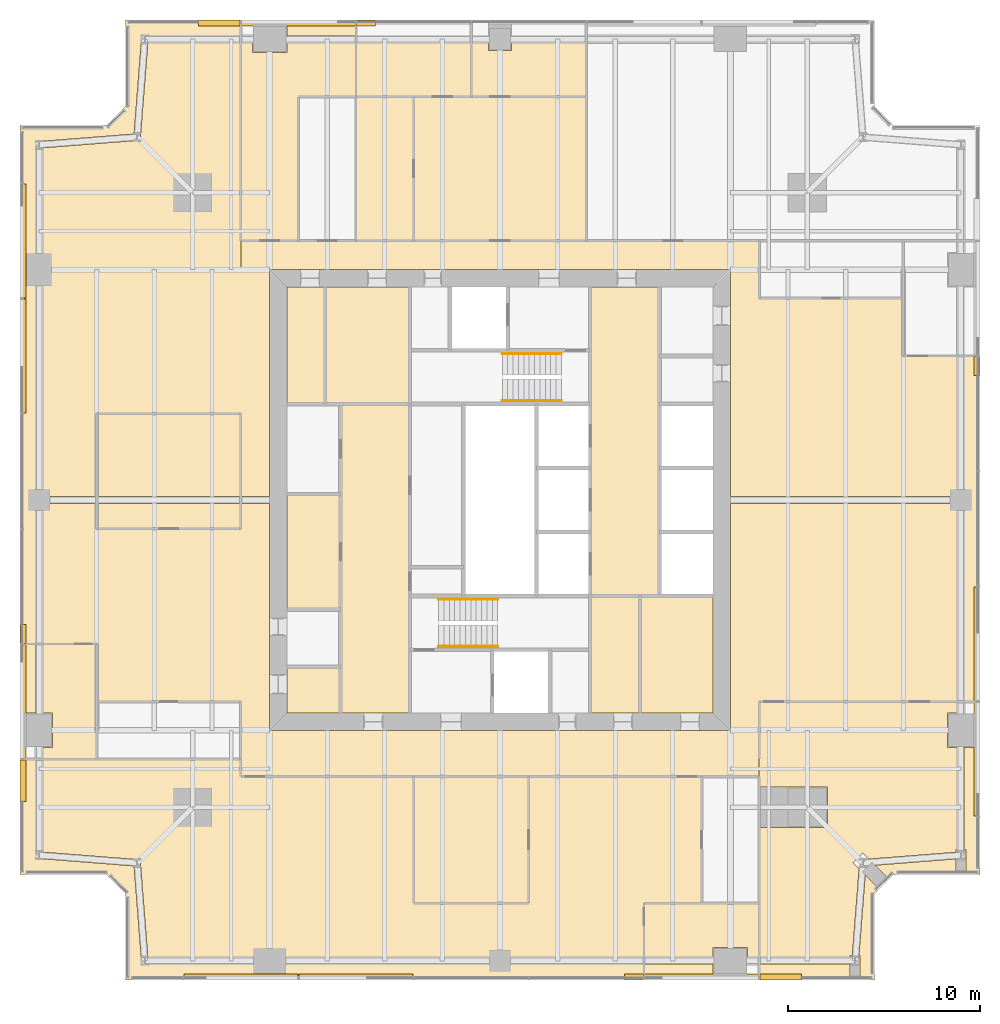
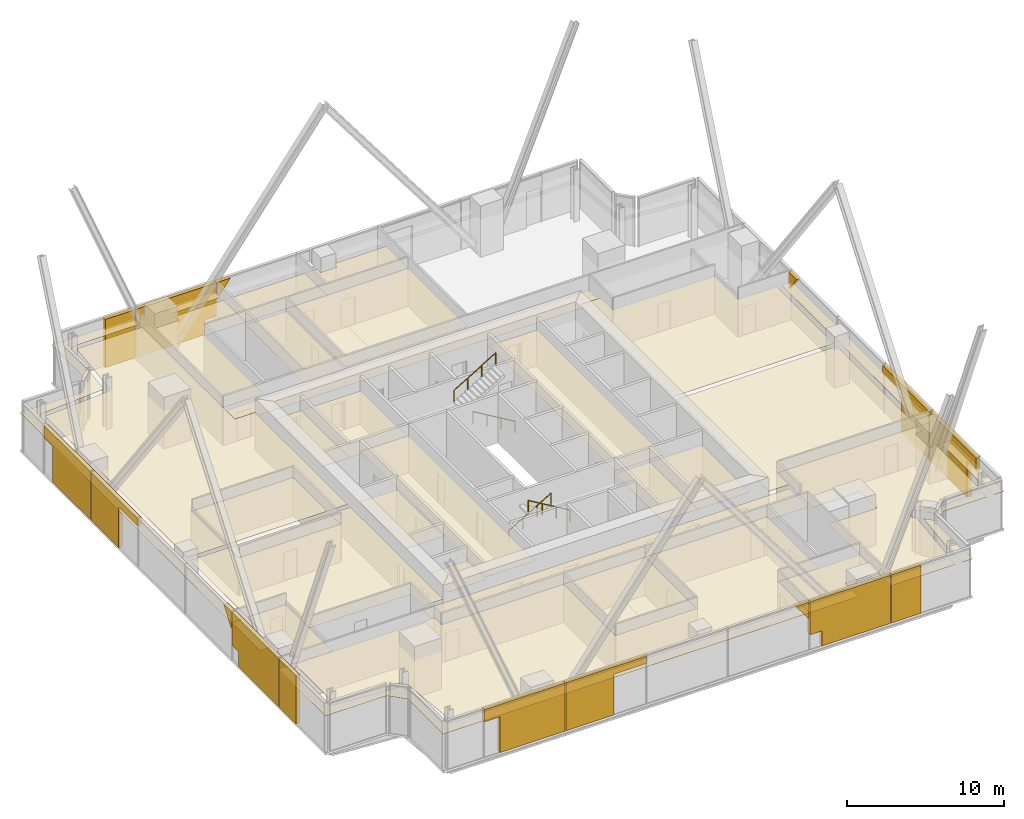
# One storey, part 12 of 13: 52 coverings, 4 railings.
"""IFC4 building model written with IfcOpenShell, lengths in metres."""

import ifcopenshell
import ifcopenshell.guid

model = None  # the IFC model being written
_history = None  # IfcOwnerHistory: only IFC2X3 demands one
_inside = {}  # id of a spatial element -> (the spatial element, [elements in it])
_under = {}  # id of a project, library or spatial element -> (it, [spatial elements below it])
_declared = {}  # id of a project -> (the project, [libraries it declares])
_typed = {}  # id of a type object -> (the type object, [elements of that type])
_made_of = {}  # id of a material, layer set ... -> (it, [elements and type objects made of it])


def new_model(schema):
    """Start an empty IFC model of exactly this schema.

    Asked for "IFC4X3", IfcOpenShell would pick the latest addendum, in which some entities
    have other attributes; the version numbers below select the first issue.
    IFC2X3 requires an IfcOwnerHistory on every rooted entity: one is made here for all.
    """
    global model, _history
    if schema == "IFC4X3":
        model = ifcopenshell.file(schema_version=(4, 3, 0, 0))
    else:
        model = ifcopenshell.file(schema=schema)
    _inside.clear()
    _under.clear()
    _declared.clear()
    _typed.clear()
    _made_of.clear()
    _history = None
    if model.schema == "IFC2X3":
        org = make("IfcOrganization", Name="unknown")
        user = make(
            "IfcPersonAndOrganization",
            ThePerson=make("IfcPerson", FamilyName="unknown"),
            TheOrganization=org,
        )
        app = make(
            "IfcApplication",
            ApplicationDeveloper=org,
            Version="unknown",
            ApplicationFullName="unknown",
            ApplicationIdentifier="unknown",
        )
        _history = make(
            "IfcOwnerHistory",
            OwningUser=user,
            OwningApplication=app,
            ChangeAction="ADDED",
            CreationDate=0,
        )
    return model


def make(cls, **values):
    """One entity of the class cls with the attributes given. An attribute that is None is left unset."""
    return model.create_entity(
        cls, **{name: value for name, value in values.items() if value is not None}
    )


def rooted(cls, **values):
    """An entity with a GlobalId (a new one), such as an element, a storey or a relation."""
    return make(cls, GlobalId=ifcopenshell.guid.new(), OwnerHistory=_history, **values)


def si_unit(unit_type, name, prefix=None):
    """IfcSIUnit, for example si_unit("LENGTHUNIT", "METRE", prefix="MILLI")."""
    return make("IfcSIUnit", UnitType=unit_type, Prefix=prefix, Name=name)


def assignment(units):
    """IfcUnitAssignment: the units of a project."""
    return None if units is None else make("IfcUnitAssignment", Units=units)


def point(xyz):
    """IfcCartesianPoint."""
    return None if xyz is None else make("IfcCartesianPoint", Coordinates=xyz)


def direction(xyz):
    """IfcDirection."""
    return None if xyz is None else make("IfcDirection", DirectionRatios=xyz)


def frame(location, z_axis=None, x_axis=None):
    """IfcAxis2Placement3D, a coordinate frame: its origin and axes. An axis left out is left unset."""
    return make(
        "IfcAxis2Placement3D",
        Location=point(location),
        Axis=direction(z_axis),
        RefDirection=direction(x_axis),
    )


def frame_2d(location, x_axis=None):
    """IfcAxis2Placement2D, a coordinate frame in the plane: its origin and x axis."""
    return make(
        "IfcAxis2Placement2D", Location=point(location), RefDirection=direction(x_axis)
    )


def origin():
    """The frame at (0, 0, 0) with its axes left unset."""
    return frame((0.0, 0.0, 0.0))


def origin_2d():
    """The frame at (0, 0) in the plane with its x axis left unset."""
    return frame_2d((0.0, 0.0))


def place(relative_to, where):
    """IfcLocalPlacement: puts the frame where relative to a parent placement (None: the world)."""
    return make(
        "IfcLocalPlacement", PlacementRelTo=relative_to, RelativePlacement=where
    )


def context(
    kind, dimensions, precision=None, world=None, true_north=None, identifier=None
):
    """IfcGeometricRepresentationContext, for example the 3D "Model" context."""
    return make(
        "IfcGeometricRepresentationContext",
        ContextIdentifier=identifier,
        ContextType=kind,
        CoordinateSpaceDimension=dimensions,
        Precision=precision,
        WorldCoordinateSystem=world,
        TrueNorth=true_north,
    )


def subcontext(parent, identifier, kind, view, scale=None):
    """IfcGeometricRepresentationSubContext, for example "Body" below "Model"."""
    return make(
        "IfcGeometricRepresentationSubContext",
        ContextIdentifier=identifier,
        ContextType=kind,
        ParentContext=parent,
        TargetScale=scale,
        TargetView=view,
    )


def project(units=None, contexts=None):
    """IfcProject with its units and contexts."""
    return rooted(
        "IfcProject",
        Name="project",
        RepresentationContexts=contexts,
        UnitsInContext=assignment(units),
    )


def spatial(cls, under=None, at=None, **own):
    """A site, building, storey or space (cls), placed at a placement, below another one or the project."""
    s = rooted(cls, ObjectPlacement=at, **own)
    if under is not None:
        _under.setdefault(under.id(), (under, []))[1].append(s)
    return s


def polyline(points):
    """IfcPolyline through the points."""
    return make("IfcPolyline", Points=[point(p) for p in points])


def profile(cls, at=None, kind="AREA", **sizes):
    """A parametric profile (cls). Its sizes go by their IFC names, for example OverallWidth=200.0."""
    return make(cls, ProfileType=kind, Position=at, **sizes)


def circle(**sizes):
    """IfcCircleProfileDef."""
    return profile("IfcCircleProfileDef", **sizes)


def outline(outer, holes=None, kind="AREA"):
    """IfcArbitraryClosedProfileDef: a profile drawn as a closed curve; with holes, ...WithVoids."""
    if holes is None:
        return make("IfcArbitraryClosedProfileDef", ProfileType=kind, OuterCurve=outer)
    return make(
        "IfcArbitraryProfileDefWithVoids",
        ProfileType=kind,
        OuterCurve=outer,
        InnerCurves=holes,
    )


def extrude(swept, where, along, depth):
    """IfcExtrudedAreaSolid: the profile swept, set in the frame where, extruded along a direction by depth."""
    return make(
        "IfcExtrudedAreaSolid",
        SweptArea=swept,
        Position=where,
        ExtrudedDirection=direction(along),
        Depth=depth,
    )


def shape(context_of_items, identifier, shape_type, items):
    """IfcShapeRepresentation: the items that make up one representation, for example the "Body"."""
    return make(
        "IfcShapeRepresentation",
        ContextOfItems=context_of_items,
        RepresentationIdentifier=identifier,
        RepresentationType=shape_type,
        Items=items,
    )


def material(Name=None, Category=None):
    """IfcMaterial."""
    return make("IfcMaterial", Name=Name, Category=Category)


def layer(
    of_material, thickness, ventilated=None, Name=None, Category=None, Priority=None
):
    """IfcMaterialLayer: one layer of a wall or slab, of a material (None: an air gap)."""
    return make(
        "IfcMaterialLayer",
        Material=of_material,
        LayerThickness=thickness,
        IsVentilated=ventilated,
        Name=Name,
        Category=Category,
        Priority=Priority,
    )


def layer_set(layers, Name=None):
    """IfcMaterialLayerSet."""
    return make("IfcMaterialLayerSet", MaterialLayers=layers, LayerSetName=Name)


def made_of(thing, what):
    """Note that an element or type object is made of a material, layer set ...; save() writes the relation."""
    if what is not None:
        _made_of.setdefault(what.id(), (what, []))[1].append(thing)
    return thing


def type_object(cls, material=None, **own):
    """A type object (cls), such as IfcWallType, which elements share."""
    return made_of(rooted(cls, **own), material)


def element(
    cls,
    number,
    at=None,
    inside=None,
    cuts=None,
    type_object=None,
    material=None,
    context=None,
    identifier="Body",
    shape_type=None,
    held_by="IfcProductDefinitionShape",
    body=None,
    shapes=None,
    **own,
):
    """One element of the class cls, such as IfcWall. Its Tag is "e" and its number.

    at: its placement. inside: the storey or other place that contains it. cuts: it is an
    opening in that element (IfcRelVoidsElement). A single representation is given by context,
    identifier, shape_type and body (its items); several are given by shapes. held_by: the class
    of the entity that holds the representations. save() writes the other relations.
    """
    e = rooted(cls, Tag="e%d" % number, ObjectPlacement=at, **own)
    if body is not None:
        shapes = [shape(context, identifier, shape_type, body)]
    if shapes is not None:
        e.Representation = make(held_by, Representations=shapes)
    if inside is not None:
        _inside.setdefault(inside.id(), (inside, []))[1].append(e)
    if cuts is not None:
        rooted(
            "IfcRelVoidsElement", RelatingBuildingElement=cuts, RelatedOpeningElement=e
        )
    if type_object is not None:
        _typed.setdefault(type_object.id(), (type_object, []))[1].append(e)
    return made_of(e, material)


def aggregate(whole, parts):
    """IfcRelAggregates: a whole, such as a stair, and the parts it consists of."""
    return rooted("IfcRelAggregates", RelatingObject=whole, RelatedObjects=parts)


def save(model, path):
    """Write the relations noted so far, then the file.

    IfcRelAggregates (storeys below a building ...), IfcRelContainedInSpatialStructure (elements
    in a storey), IfcRelDefinesByType, IfcRelAssociatesMaterial and IfcRelDeclares: one each for
    every whole, place, type object, material and project.
    """
    for whole, parts in _under.values():
        aggregate(whole, parts)
    for where, things in _inside.values():
        rooted(
            "IfcRelContainedInSpatialStructure",
            RelatedElements=things,
            RelatingStructure=where,
        )
    for kind, things in _typed.values():
        rooted("IfcRelDefinesByType", RelatedObjects=things, RelatingType=kind)
    for what, things in _made_of.values():
        rooted("IfcRelAssociatesMaterial", RelatedObjects=things, RelatingMaterial=what)
    for by, libraries in _declared.values():
        rooted("IfcRelDeclares", RelatingContext=by, RelatedDefinitions=libraries)
    model.write(path)


model = new_model("IFC4")

# Units and contexts
model_context = context("Model", 3, precision=1e-05, world=origin(), true_north=direction((0.0, 1.0)))
body_context = subcontext(model_context, "Body", "Model", "MODEL_VIEW")
ifc_project = project(units=[si_unit("LENGTHUNIT", "METRE"), si_unit("AREAUNIT", "SQUARE_METRE"), si_unit("VOLUMEUNIT", "CUBIC_METRE"), si_unit("PLANEANGLEUNIT", "RADIAN"), si_unit("MASSUNIT", "GRAM", prefix="KILO")], contexts=[model_context])

# Site, building, storey
site_placement = place(None, origin())
site = spatial("IfcSite", under=ifc_project, at=site_placement, CompositionType="ELEMENT")
building_placement = place(site_placement, origin())
building = spatial("IfcBuilding", under=site, at=building_placement, Name="Fenwick Lantern Interchange", CompositionType="ELEMENT")
storey_placement = place(building_placement, frame((0.0, 0.0, 201.800048828125)))
storey = spatial("IfcBuildingStorey", under=building, at=storey_placement, Name="L47", CompositionType="ELEMENT", Elevation=201.800048828125)

# Coverings
ifc_material_1 = material(Name="Mineral fibre acoustic tile on suspended grid")
ifc_layer_1 = layer(ifc_material_1, 0.02001953125)
ifc_layer_set_1 = layer_set([ifc_layer_1], Name="ACOUSTIC TILE CEILING 20")
covering_type_1 = type_object("IfcCoveringType", Name="ACOUSTIC TILE CEILING 20", PredefinedType="CEILING", material=ifc_layer_set_1)
covering_1_placement = place(storey_placement, frame((0.0, 0.0, 2.89990234375)))
element("IfcCovering", 1, at=covering_1_placement, inside=storey, type_object=covering_type_1, Name="Open office ceiling", PredefinedType="CEILING", context=body_context, shape_type="SweptSolid", body=[
    extrude(outline(polyline([(26.5, 10.60009765625), (26.5, 4.0), (20.5, 4.0), (20.5, 10.60009765625), (11.5, 10.60009765625), (11.5, 11.5), (1.17236328125, 11.5), (1.17236328125, 6.659423828125), (6.113525390625, 6.27197265625), (6.10009765625, 6.10009765625), (6.27197265625, 6.113525390625), (6.659423828125, 1.17236328125), (13.0, 1.17236328125), (25.0, 1.17236328125), (32.5, 1.17236328125), (32.5, 4.0), (35.5, 4.0), (35.5, 10.60009765625), (26.5, 10.60009765625)])), origin(), (0.0, 0.0, 1.0), 0.02001953125),
])
covering_2_placement = place(storey_placement, frame((0.0, 0.0, 2.89990234375)))
element("IfcCovering", 2, at=covering_2_placement, inside=storey, type_object=covering_type_1, Name="Open office ceiling", PredefinedType="CEILING", context=body_context, shape_type="SweptSolid", body=[
    extrude(outline(polyline([(32.5, 0.0), (32.5, 0.82763671875), (25.0, 0.82763671875), (13.0, 0.82763671875), (6.5, 0.82763671875), (6.5, 1.0), (6.328125, 0.986572265625), (5.939697265625, 5.939697265625), (0.986572265625, 6.328125), (1.0, 6.5), (0.82763671875, 6.5), (0.82763671875, 11.5), (0.0, 11.5), (0.0, 5.5), (4.5, 5.5), (5.5, 4.5), (5.5, 0.0), (32.5, 0.0)])), origin(), (0.0, 0.0, 1.0), 0.02001953125),
])
covering_3_placement = place(storey_placement, frame((0.0, 0.0, 2.89990234375)))
element("IfcCovering", 3, at=covering_3_placement, inside=storey, type_object=covering_type_1, Name="Meeting room ceiling", PredefinedType="CEILING", context=body_context, shape_type="SweptSolid", body=[
    extrude(outline(polyline([(20.5, 4.0), (26.5, 4.0), (26.5, 10.60009765625), (20.5, 10.60009765625), (20.5, 4.0)])), origin(), (0.0, 0.0, 1.0), 0.02001953125),
])
covering_4_placement = place(storey_placement, frame((0.0, 0.0, 2.89990234375)))
element("IfcCovering", 4, at=covering_4_placement, inside=storey, type_object=covering_type_1, Name="Office ceiling", PredefinedType="CEILING", context=body_context, shape_type="SweptSolid", body=[
    extrude(outline(polyline([(32.5, 4.0), (32.5, 1.17236328125), (36.10009765625, 1.17236328125), (36.10009765625, 1.699951171875), (37.89990234375, 1.699951171875), (37.89990234375, 1.17236328125), (38.5, 1.17236328125), (38.5, 4.0), (32.5, 4.0)])), origin(), (0.0, 0.0, 1.0), 0.02001953125),
])
covering_5_placement = place(storey_placement, frame((0.0, 0.0, 2.89990234375)))
element("IfcCovering", 5, at=covering_5_placement, inside=storey, type_object=covering_type_1, Name="Office ceiling", PredefinedType="CEILING", context=body_context, shape_type="SweptSolid", body=[
    extrude(outline(polyline([(32.5, 0.82763671875), (32.5, 0.0), (36.10009765625, 0.0), (36.10009765625, 0.82763671875), (32.5, 0.82763671875)])), origin(), (0.0, 0.0, 1.0), 0.02001953125),
])
covering_6_placement = place(storey_placement, frame((0.0, 0.0, 2.89990234375)))
element("IfcCovering", 6, at=covering_6_placement, inside=storey, type_object=covering_type_1, Name="Open office ceiling", PredefinedType="CEILING", context=body_context, shape_type="SweptSolid", body=[
    extrude(outline(polyline([(38.5, 14.5), (48.82763671875, 14.5), (48.82763671875, 24.824951171875), (37.0, 24.824951171875), (37.0, 13.0), (38.5, 13.0), (38.5, 14.5)])), origin(), (0.0, 0.0, 1.0), 0.02001953125),
])
covering_7_placement = place(storey_placement, frame((0.0, 0.0, 2.89990234375)))
element("IfcCovering", 7, at=covering_7_placement, inside=storey, type_object=covering_type_1, Name="Open office ceiling", PredefinedType="CEILING", context=body_context, shape_type="SweptSolid", body=[
    extrude(outline(polyline([(46.0, 32.5), (46.0, 35.5), (38.5, 35.5), (38.5, 37.0), (37.0, 37.0), (37.0, 25.175048828125), (48.82763671875, 25.175048828125), (48.82763671875, 32.5), (46.0, 32.5)])), origin(), (0.0, 0.0, 1.0), 0.02001953125),
])
covering_8_placement = place(storey_placement, frame((0.0, 0.0, 2.89990234375)))
element("IfcCovering", 8, at=covering_8_placement, inside=storey, type_object=covering_type_1, Name="Open office ceiling", PredefinedType="CEILING", context=body_context, shape_type="SweptSolid", body=[
    extrude(outline(polyline([(50.0, 32.5), (49.17236328125, 32.5), (49.17236328125, 25.0), (49.17236328125, 14.5), (50.0, 14.5), (50.0, 32.5)])), origin(), (0.0, 0.0, 1.0), 0.02001953125),
])
covering_9_placement = place(storey_placement, frame((0.0, 0.0, 2.89990234375)))
element("IfcCovering", 9, at=covering_9_placement, inside=storey, type_object=covering_type_1, Name="Office lounge ceiling", PredefinedType="CEILING", context=body_context, shape_type="SweptSolid", body=[
    extrude(outline(polyline([(43.23779296875, 1.28759765625), (43.349609375, 1.28759765625), (43.701904296875, 5.77783203125), (43.379638671875, 6.10009765625), (43.89990234375, 6.620361328125), (44.22216796875, 6.298095703125), (48.73779296875, 6.65234375), (48.73779296875, 6.78759765625), (48.82763671875, 6.78759765625), (48.82763671875, 12.10009765625), (48.300048828125, 12.10009765625), (48.300048828125, 13.89990234375), (48.82763671875, 13.89990234375), (48.82763671875, 14.5), (38.5, 14.5), (38.5, 10.050048828125), (42.050048828125, 10.050048828125), (42.050048828125, 7.949951171875), (38.5, 7.949951171875), (38.5, 1.17236328125), (43.23779296875, 1.17236328125), (43.23779296875, 1.28759765625)])), origin(), (0.0, 0.0, 1.0), 0.02001953125),
])
covering_10_placement = place(storey_placement, frame((0.0, 0.0, 2.89990234375)))
element("IfcCovering", 10, at=covering_10_placement, inside=storey, type_object=covering_type_1, Name="Office lounge ceiling", PredefinedType="CEILING", context=body_context, shape_type="SweptSolid", body=[
    extrude(outline(polyline([(50.0, 12.10009765625), (49.17236328125, 12.10009765625), (49.17236328125, 6.78759765625), (49.26220703125, 6.78759765625), (49.26220703125, 5.5), (50.0, 5.5), (50.0, 12.10009765625)])), origin(), (0.0, 0.0, 1.0), 0.02001953125),
])
covering_11_placement = place(storey_placement, frame((0.0, 0.0, 2.89990234375)))
element("IfcCovering", 11, at=covering_11_placement, inside=storey, type_object=covering_type_1, Name="Office lounge ceiling", PredefinedType="CEILING", context=body_context, shape_type="SweptSolid", body=[
    extrude(outline(polyline([(43.23779296875, 0.0), (43.23779296875, 0.82763671875), (38.5, 0.82763671875), (38.5, 0.0), (43.23779296875, 0.0)])), origin(), (0.0, 0.0, 1.0), 0.02001953125),
])
covering_12_placement = place(storey_placement, frame((0.0, 0.0, 2.89990234375)))
element("IfcCovering", 12, at=covering_12_placement, inside=storey, type_object=covering_type_1, Name="Office lounge ceiling", PredefinedType="CEILING", context=body_context, shape_type="SweptSolid", body=[
    extrude(outline(polyline([(43.695556640625, 1.28759765625), (43.76220703125, 1.28759765625), (43.76220703125, 0.0), (44.5, 0.0), (44.5, 4.5), (44.73974609375, 4.73974609375), (44.0224609375, 5.457275390625), (43.695556640625, 1.28759765625)])), origin(), (0.0, 0.0, 1.0), 0.02001953125),
])
covering_13_placement = place(storey_placement, frame((0.0, 0.0, 2.89990234375)))
element("IfcCovering", 13, at=covering_13_placement, inside=storey, type_object=covering_type_1, Name="Office lounge ceiling", PredefinedType="CEILING", context=body_context, shape_type="SweptSolid", body=[
    extrude(outline(polyline([(48.73779296875, 5.5), (48.73779296875, 6.306396484375), (44.542724609375, 5.9775390625), (45.26025390625, 5.26025390625), (45.5, 5.5), (48.73779296875, 5.5)])), origin(), (0.0, 0.0, 1.0), 0.02001953125),
])
covering_14_placement = place(storey_placement, frame((0.0, 0.0, 2.89990234375)))
element("IfcCovering", 14, at=covering_14_placement, inside=storey, type_object=covering_type_1, Name="Meeting room ceiling", PredefinedType="CEILING", context=body_context, shape_type="SweptSolid", body=[
    extrude(outline(polyline([(29.5, 46.0), (29.5, 48.82763671875), (25.60009765625, 48.82763671875), (25.60009765625, 48.39990234375), (24.39990234375, 48.39990234375), (24.39990234375, 48.82763671875), (23.5, 48.82763671875), (23.5, 46.0), (29.5, 46.0)])), origin(), (0.0, 0.0, 1.0), 0.02001953125),
])
covering_15_placement = place(storey_placement, frame((0.0, 0.0, 2.89990234375)))
element("IfcCovering", 15, at=covering_15_placement, inside=storey, type_object=covering_type_1, Name="Meeting room ceiling", PredefinedType="CEILING", context=body_context, shape_type="SweptSolid", body=[
    extrude(outline(polyline([(23.5, 46.0), (23.5, 48.82763671875), (17.5, 48.82763671875), (17.5, 46.0), (23.5, 46.0)])), origin(), (0.0, 0.0, 1.0), 0.02001953125),
])
covering_16_placement = place(storey_placement, frame((0.0, 0.0, 2.89990234375)))
element("IfcCovering", 16, at=covering_16_placement, inside=storey, type_object=covering_type_1, Name="Meeting room ceiling", PredefinedType="CEILING", context=body_context, shape_type="SweptSolid", body=[
    extrude(outline(polyline([(12.10009765625, 48.300048828125), (12.10009765625, 48.82763671875), (11.5, 48.82763671875), (11.5, 38.5), (14.5, 38.5), (14.5, 46.0), (17.5, 46.0), (17.5, 48.82763671875), (13.89990234375, 48.82763671875), (13.89990234375, 48.300048828125), (12.10009765625, 48.300048828125)])), origin(), (0.0, 0.0, 1.0), 0.02001953125),
])
covering_17_placement = place(storey_placement, frame((0.0, 0.0, 2.89990234375)))
element("IfcCovering", 17, at=covering_17_placement, inside=storey, type_object=covering_type_1, Name="Meeting room ceiling", PredefinedType="CEILING", context=body_context, shape_type="SweptSolid", body=[
    extrude(outline(polyline([(13.89990234375, 50.0), (13.89990234375, 49.17236328125), (17.5, 49.17236328125), (17.5, 50.0), (13.89990234375, 50.0)])), origin(), (0.0, 0.0, 1.0), 0.02001953125),
])
covering_18_placement = place(storey_placement, frame((0.0, 0.0, 2.89990234375)))
element("IfcCovering", 18, at=covering_18_placement, inside=storey, type_object=covering_type_1, Name="Open office ceiling", PredefinedType="CEILING", context=body_context, shape_type="SweptSolid", body=[
    extrude(outline(polyline([(11.5, 37.0), (11.5, 48.82763671875), (6.659423828125, 48.82763671875), (6.27197265625, 43.886474609375), (6.10009765625, 43.89990234375), (6.113525390625, 43.72802734375), (1.17236328125, 43.340576171875), (1.17236328125, 37.0), (1.17236328125, 25.175048828125), (4.0, 25.175048828125), (4.0, 29.5), (11.5, 29.5), (11.5, 25.175048828125), (13.0, 25.175048828125), (13.0, 37.0), (11.5, 37.0)])), origin(), (0.0, 0.0, 1.0), 0.02001953125),
])
covering_19_placement = place(storey_placement, frame((0.0, 0.0, 2.89990234375)))
element("IfcCovering", 19, at=covering_19_placement, inside=storey, type_object=covering_type_1, Name="Open office ceiling", PredefinedType="CEILING", context=body_context, shape_type="SweptSolid", body=[
    extrude(outline(polyline([(4.0, 17.5), (4.0, 14.5), (11.5, 14.5), (11.5, 13.0), (13.0, 13.0), (13.0, 24.824951171875), (11.5, 24.824951171875), (11.5, 23.5), (4.0, 23.5), (4.0, 24.824951171875), (1.17236328125, 24.824951171875), (1.17236328125, 17.5), (4.0, 17.5)])), origin(), (0.0, 0.0, 1.0), 0.02001953125),
])
covering_20_placement = place(storey_placement, frame((0.0, 0.0, 2.89990234375)))
element("IfcCovering", 20, at=covering_20_placement, inside=storey, type_object=covering_type_1, Name="Open office ceiling", PredefinedType="CEILING", context=body_context, shape_type="SweptSolid", body=[
    extrude(outline(polyline([(0.0, 17.5), (0.82763671875, 17.5), (0.82763671875, 25.0), (0.82763671875, 37.0), (0.82763671875, 43.5), (1.0, 43.5), (0.986572265625, 43.671875), (5.939697265625, 44.060302734375), (6.328125, 49.013427734375), (6.5, 49.0), (6.5, 49.17236328125), (11.5, 49.17236328125), (11.5, 50.0), (5.5, 50.0), (5.5, 45.5), (4.5, 44.5), (0.0, 44.5), (0.0, 17.5)])), origin(), (0.0, 0.0, 1.0), 0.02001953125),
])
covering_21_placement = place(storey_placement, frame((0.0, 0.0, 2.89990234375)))
element("IfcCovering", 21, at=covering_21_placement, inside=storey, type_object=covering_type_1, Name="Meeting room ceiling", PredefinedType="CEILING", context=body_context, shape_type="SweptSolid", body=[
    extrude(outline(polyline([(11.5, 29.5), (4.0, 29.5), (4.0, 25.175048828125), (11.5, 25.175048828125), (11.5, 29.5)])), origin(), (0.0, 0.0, 1.0), 0.02001953125),
])
covering_22_placement = place(storey_placement, frame((0.0, 0.0, 2.89990234375)))
element("IfcCovering", 22, at=covering_22_placement, inside=storey, type_object=covering_type_1, Name="Meeting room ceiling", PredefinedType="CEILING", context=body_context, shape_type="SweptSolid", body=[
    extrude(outline(polyline([(11.5, 23.5), (11.5, 24.824951171875), (4.0, 24.824951171875), (4.0, 23.5), (11.5, 23.5)])), origin(), (0.0, 0.0, 1.0), 0.02001953125),
])
covering_23_placement = place(storey_placement, frame((0.0, 0.0, 2.89990234375)))
element("IfcCovering", 23, at=covering_23_placement, inside=storey, type_object=covering_type_1, Name="Office ceiling", PredefinedType="CEILING", context=body_context, shape_type="SweptSolid", body=[
    extrude(outline(polyline([(4.0, 17.5), (1.17236328125, 17.5), (1.17236328125, 13.89990234375), (1.699951171875, 13.89990234375), (1.699951171875, 12.10009765625), (1.17236328125, 12.10009765625), (1.17236328125, 11.5), (4.0, 11.5), (4.0, 17.5)])), origin(), (0.0, 0.0, 1.0), 0.02001953125),
])
covering_24_placement = place(storey_placement, frame((0.0, 0.0, 2.89990234375)))
element("IfcCovering", 24, at=covering_24_placement, inside=storey, type_object=covering_type_1, Name="Office ceiling", PredefinedType="CEILING", context=body_context, shape_type="SweptSolid", body=[
    extrude(outline(polyline([(0.82763671875, 17.5), (0.0, 17.5), (0.0, 13.89990234375), (0.82763671875, 13.89990234375), (0.82763671875, 17.5)])), origin(), (0.0, 0.0, 1.0), 0.02001953125),
])
ifc_material_2 = material(Name="Granite cladding, warm grey flamed finish, on aluminium carrier frame", Category="masonry")
ifc_layer_2 = layer(ifc_material_2, 0.300048828125)
ifc_layer_set_2 = layer_set([ifc_layer_2], Name="BRACE CASING PANEL 300")
covering_type_2 = type_object("IfcCoveringType", Name="BRACE CASING PANEL 300", PredefinedType="CLADDING", material=ifc_layer_set_2)
covering_25_placement = place(storey_placement, frame((5.60009765625, 0.10009765625, 0.0), z_axis=(0.0, 0.0, 1.0), x_axis=(1.0, 0.0, 0.0)))
element("IfcCovering", 25, at=covering_25_placement, inside=storey, type_object=covering_type_2, Name="Brace casing 01 bay 01a", PredefinedType="CLADDING", context=body_context, shape_type="SweptSolid", body=[
    extrude(outline(polyline([(4.072509765625, 0.0), (8.867431640625, 0.0), (8.867431640625, 3.75), (2.9326171875, 3.75), (2.9326171875, 2.80224609375), (4.072509765625, 2.80224609375), (4.072509765625, 0.0)])), frame((0.0, 0.2001953125, 0.0), z_axis=(0.0, -1.0, 0.0), x_axis=(1.0, 0.0, 0.0)), (0.0, 0.0, 1.0), 0.300048828125),
])
covering_26_placement = place(storey_placement, frame((5.60009765625, 0.10009765625, 0.0), z_axis=(0.0, 0.0, 1.0), x_axis=(1.0, 0.0, 0.0)))
element("IfcCovering", 26, at=covering_26_placement, inside=storey, type_object=covering_type_2, Name="Brace casing 01 bay 02a", PredefinedType="CLADDING", context=body_context, shape_type="SweptSolid", body=[
    extrude(outline(polyline([(8.9326171875, 0.0), (12.484375, 0.0), (12.484375, 3.17333984375), (14.867431640625, 3.17333984375), (14.867431640625, 3.75), (8.9326171875, 3.75), (8.9326171875, 0.0)])), frame((0.0, 0.2001953125, 0.0), z_axis=(0.0, -1.0, 0.0), x_axis=(1.0, 0.0, 0.0)), (0.0, 0.0, 1.0), 0.300048828125),
])
covering_27_placement = place(storey_placement, frame((5.60009765625, 0.10009765625, 2.437255859375), z_axis=(0.0, 0.0, 1.0), x_axis=(1.0, 0.0, 0.0)))
element("IfcCovering", 27, at=covering_27_placement, inside=storey, type_object=covering_type_2, Name="Brace casing 01 bay 04a", PredefinedType="CLADDING", context=body_context, shape_type="SweptSolid", body=[
    extrude(outline(polyline([(26.867431640625, 0.0), (26.867431640625, 1.312744140625), (25.883056640625, 1.312744140625), (26.867431640625, 0.0)])), frame((0.0, 0.2001953125, 0.0), z_axis=(0.0, -1.0, 0.0), x_axis=(1.0, 0.0, 0.0)), (0.0, 0.0, 1.0), 0.300048828125),
])
covering_28_placement = place(storey_placement, frame((5.60009765625, 0.10009765625, 0.0), z_axis=(0.0, 0.0, 1.0), x_axis=(1.0, 0.0, 0.0)))
element("IfcCovering", 28, at=covering_28_placement, inside=storey, type_object=covering_type_2, Name="Brace casing 01 bay 05a", PredefinedType="CLADDING", context=body_context, shape_type="SweptSolid", body=[
    extrude(outline(polyline([(27.8125, 0.0), (32.867431640625, 0.0), (32.867431640625, 3.75), (26.9326171875, 3.75), (26.9326171875, 1.17724609375), (27.8125, 1.17724609375), (27.8125, 0.0)])), frame((0.0, 0.2001953125, 0.0), z_axis=(0.0, -1.0, 0.0), x_axis=(1.0, 0.0, 0.0)), (0.0, 0.0, 1.0), 0.300048828125),
])
covering_29_placement = place(storey_placement, frame((5.60009765625, 0.10009765625, 0.0), z_axis=(0.0, 0.0, 1.0), x_axis=(1.0, 0.0, 0.0)))
element("IfcCovering", 29, at=covering_29_placement, inside=storey, type_object=covering_type_2, Name="Brace casing 01 bay 06a", PredefinedType="CLADDING", context=body_context, shape_type="SweptSolid", body=[
    extrude(outline(polyline([(32.9326171875, 0.0), (35.11474609375, 0.0), (35.11474609375, 3.75), (32.9326171875, 3.75), (32.9326171875, 0.0)])), frame((0.0, 0.2001953125, 0.0), z_axis=(0.0, -1.0, 0.0), x_axis=(1.0, 0.0, 0.0)), (0.0, 0.0, 1.0), 0.300048828125),
])
covering_30_placement = place(storey_placement, frame((49.89990234375, 5.60009765625, 0.0), z_axis=(0.0, 0.0, 1.0), x_axis=(0.0, 1.0, 0.0)))
element("IfcCovering", 30, at=covering_30_placement, inside=storey, type_object=covering_type_2, Name="Brace casing 05 bay 01a", PredefinedType="CLADDING", context=body_context, shape_type="SweptSolid", body=[
    extrude(outline(polyline([(4.072509765625, 0.0), (8.867431640625, 0.0), (8.867431640625, 3.75), (2.9326171875, 3.75), (2.9326171875, 2.80224609375), (4.072509765625, 2.80224609375), (4.072509765625, 0.0)])), frame((0.0, 0.2001953125, 0.0), z_axis=(0.0, -1.0, 0.0), x_axis=(1.0, 0.0, 0.0)), (0.0, 0.0, 1.0), 0.300048828125),
])
covering_31_placement = place(storey_placement, frame((49.89990234375, 5.60009765625, 0.0), z_axis=(0.0, 0.0, 1.0), x_axis=(0.0, 1.0, 0.0)))
element("IfcCovering", 31, at=covering_31_placement, inside=storey, type_object=covering_type_2, Name="Brace casing 05 bay 02a", PredefinedType="CLADDING", context=body_context, shape_type="SweptSolid", body=[
    extrude(outline(polyline([(8.9326171875, 0.0), (12.484375, 0.0), (12.484375, 3.17333984375), (14.867431640625, 3.17333984375), (14.867431640625, 3.75), (8.9326171875, 3.75), (8.9326171875, 0.0)])), frame((0.0, 0.2001953125, 0.0), z_axis=(0.0, -1.0, 0.0), x_axis=(1.0, 0.0, 0.0)), (0.0, 0.0, 1.0), 0.300048828125),
])
for number, where, z_axis, x_axis, name in (
    (32, (49.89990234375, 5.60009765625, 2.437255859375), (0.0, 0.0, 1.0), (0.0, 1.0, 0.0), "Brace casing 05 bay 04a"),
    (33, (44.39990234375, 49.89990234375, 2.437255859375), (0.0, 0.0, 1.0), (-1.0, 0.0, 0.0), "Brace casing 09 bay 04a"),
):
    element("IfcCovering", number, at=place(storey_placement, frame(where, z_axis=z_axis, x_axis=x_axis)), inside=storey, type_object=covering_type_2, Name=name, PredefinedType="CLADDING", context=body_context, shape_type="SweptSolid", body=[
        extrude(outline(polyline([(26.867431640625, 0.0), (26.867431640625, 1.312744140625), (25.883056640625, 1.312744140625), (26.867431640625, 0.0)])), frame((0.0, 0.2001953125, 0.0), z_axis=(0.0, -1.0, 0.0), x_axis=(1.0, 0.0, 0.0)), (0.0, 0.0, 1.0), 0.300048828125),
    ])
covering_32_placement = place(storey_placement, frame((44.39990234375, 49.89990234375, 0.0), z_axis=(0.0, 0.0, 1.0), x_axis=(-1.0, 0.0, 0.0)))
element("IfcCovering", 34, at=covering_32_placement, inside=storey, type_object=covering_type_2, Name="Brace casing 09 bay 05a", PredefinedType="CLADDING", context=body_context, shape_type="SweptSolid", body=[
    extrude(outline(polyline([(27.8125, 0.0), (32.867431640625, 0.0), (32.867431640625, 3.75), (26.9326171875, 3.75), (26.9326171875, 1.17724609375), (27.8125, 1.17724609375), (27.8125, 0.0)])), frame((0.0, 0.2001953125, 0.0), z_axis=(0.0, -1.0, 0.0), x_axis=(1.0, 0.0, 0.0)), (0.0, 0.0, 1.0), 0.300048828125),
])
covering_33_placement = place(storey_placement, frame((44.39990234375, 49.89990234375, 0.0), z_axis=(0.0, 0.0, 1.0), x_axis=(-1.0, 0.0, 0.0)))
element("IfcCovering", 35, at=covering_33_placement, inside=storey, type_object=covering_type_2, Name="Brace casing 09 bay 06a", PredefinedType="CLADDING", context=body_context, shape_type="SweptSolid", body=[
    extrude(outline(polyline([(32.9326171875, 0.0), (35.11474609375, 0.0), (35.11474609375, 3.75), (32.9326171875, 3.75), (32.9326171875, 0.0)])), frame((0.0, 0.2001953125, 0.0), z_axis=(0.0, -1.0, 0.0), x_axis=(1.0, 0.0, 0.0)), (0.0, 0.0, 1.0), 0.300048828125),
])
covering_34_placement = place(storey_placement, frame((0.10009765625, 44.39990234375, 0.0), z_axis=(0.0, 0.0, 1.0), x_axis=(0.0, -1.0, 0.0)))
element("IfcCovering", 36, at=covering_34_placement, inside=storey, type_object=covering_type_2, Name="Brace casing 13 bay 01a", PredefinedType="CLADDING", context=body_context, shape_type="SweptSolid", body=[
    extrude(outline(polyline([(4.072509765625, 0.0), (8.867431640625, 0.0), (8.867431640625, 3.75), (2.9326171875, 3.75), (2.9326171875, 2.80224609375), (4.072509765625, 2.80224609375), (4.072509765625, 0.0)])), frame((0.0, 0.2001953125, 0.0), z_axis=(0.0, -1.0, 0.0), x_axis=(1.0, 0.0, 0.0)), (0.0, 0.0, 1.0), 0.300048828125),
])
covering_35_placement = place(storey_placement, frame((0.10009765625, 44.39990234375, 0.0), z_axis=(0.0, 0.0, 1.0), x_axis=(0.0, -1.0, 0.0)))
element("IfcCovering", 37, at=covering_35_placement, inside=storey, type_object=covering_type_2, Name="Brace casing 13 bay 02a", PredefinedType="CLADDING", context=body_context, shape_type="SweptSolid", body=[
    extrude(outline(polyline([(8.9326171875, 0.0), (12.484375, 0.0), (12.484375, 3.17333984375), (14.867431640625, 3.17333984375), (14.867431640625, 3.75), (8.9326171875, 3.75), (8.9326171875, 0.0)])), frame((0.0, 0.2001953125, 0.0), z_axis=(0.0, -1.0, 0.0), x_axis=(1.0, 0.0, 0.0)), (0.0, 0.0, 1.0), 0.300048828125),
])
covering_36_placement = place(storey_placement, frame((0.10009765625, 44.39990234375, 2.437255859375), z_axis=(0.0, 0.0, 1.0), x_axis=(0.0, -1.0, 0.0)))
element("IfcCovering", 38, at=covering_36_placement, inside=storey, type_object=covering_type_2, Name="Brace casing 13 bay 04a", PredefinedType="CLADDING", context=body_context, shape_type="SweptSolid", body=[
    extrude(outline(polyline([(26.867431640625, 0.0), (26.867431640625, 1.312744140625), (25.883056640625, 1.312744140625), (26.867431640625, 0.0)])), frame((0.0, 0.2001953125, 0.0), z_axis=(0.0, -1.0, 0.0), x_axis=(1.0, 0.0, 0.0)), (0.0, 0.0, 1.0), 0.300048828125),
])
covering_37_placement = place(storey_placement, frame((0.10009765625, 44.39990234375, 0.0), z_axis=(0.0, 0.0, 1.0), x_axis=(0.0, -1.0, 0.0)))
element("IfcCovering", 39, at=covering_37_placement, inside=storey, type_object=covering_type_2, Name="Brace casing 13 bay 05a", PredefinedType="CLADDING", context=body_context, shape_type="SweptSolid", body=[
    extrude(outline(polyline([(27.8125, 0.0), (32.867431640625, 0.0), (32.867431640625, 3.75), (26.9326171875, 3.75), (26.9326171875, 1.17724609375), (27.8125, 1.17724609375), (27.8125, 0.0)])), frame((0.0, 0.2001953125, 0.0), z_axis=(0.0, -1.0, 0.0), x_axis=(1.0, 0.0, 0.0)), (0.0, 0.0, 1.0), 0.300048828125),
])
covering_38_placement = place(storey_placement, frame((0.10009765625, 44.39990234375, 0.0), z_axis=(0.0, 0.0, 1.0), x_axis=(0.0, -1.0, 0.0)))
element("IfcCovering", 40, at=covering_38_placement, inside=storey, type_object=covering_type_2, Name="Brace casing 13 bay 06a", PredefinedType="CLADDING", context=body_context, shape_type="SweptSolid", body=[
    extrude(outline(polyline([(32.9326171875, 0.0), (35.11474609375, 0.0), (35.11474609375, 3.75), (32.9326171875, 3.75), (32.9326171875, 0.0)])), frame((0.0, 0.2001953125, 0.0), z_axis=(0.0, -1.0, 0.0), x_axis=(1.0, 0.0, 0.0)), (0.0, 0.0, 1.0), 0.300048828125),
])

# Railings
ifc_material_3 = material(Name="Stainless steel handrail", Category="steel")
railing_type = type_object("IfcRailingType", Name="HANDRAIL 900", PredefinedType="HANDRAIL", material=ifc_material_3)
railing_1_placement = place(storey_placement, frame((21.800048828125, 19.825927734375, 0.16650390625)))
element("IfcRailing", 41, at=railing_1_placement, inside=storey, type_object=railing_type, Name="L47/STAIR/ST1/HR1", PredefinedType="HANDRAIL", context=body_context, shape_type="SweptSolid", body=[
    extrude(circle(Radius=0.02392578125, at=origin_2d()), frame((0.0, 0.0, 0.8759765625), z_axis=(0.859260807169, 0.0, 0.511537745687), x_axis=(0.0, 1.0, 0.0)), (0.0, 0.0, 1.0), 3.584228515625),
    extrude(circle(Radius=0.02099609375, at=origin_2d()), origin(), (0.0, 0.0, 1.0), 0.851806640625),
    extrude(circle(Radius=0.02099609375, at=origin_2d()), frame((1.026611328125, 0.0, 0.611083984375)), (0.0, 0.0, 1.0), 0.851806640625),
    extrude(circle(Radius=0.02099609375, at=origin_2d()), frame((2.05322265625, 0.0, 1.222412109375)), (0.0, 0.0, 1.0), 0.851806640625),
    extrude(circle(Radius=0.02099609375, at=origin_2d()), frame((3.079833984375, 0.0, 1.83349609375)), (0.0, 0.0, 1.0), 0.851806640625),
])
for number, where, name in (
    (42, (24.8798828125, 17.3740234375, 2.16650390625), "L47/STAIR/ST1/HR2"),
    (43, (28.199951171875, 30.174072265625, 0.16650390625), "L47/STAIR/ST2/HR1"),
):
    element("IfcRailing", number, at=place(storey_placement, frame(where)), inside=storey, type_object=railing_type, Name=name, PredefinedType="HANDRAIL", context=body_context, shape_type="SweptSolid", body=[
        extrude(circle(Radius=0.02392578125, at=origin_2d()), frame((0.0, 0.0, 0.8759765625), z_axis=(-0.859260807169, 0.0, 0.511537745687), x_axis=(0.0, -1.0, 0.0)), (0.0, 0.0, 1.0), 3.584228515625),
        extrude(circle(Radius=0.02099609375, at=origin_2d()), origin(), (0.0, 0.0, 1.0), 0.851806640625),
        extrude(circle(Radius=0.02099609375, at=origin_2d()), frame((-1.026611328125, 0.0, 0.611083984375)), (0.0, 0.0, 1.0), 0.851806640625),
        extrude(circle(Radius=0.02099609375, at=origin_2d()), frame((-2.05322265625, 0.0, 1.222412109375)), (0.0, 0.0, 1.0), 0.851806640625),
        extrude(circle(Radius=0.02099609375, at=origin_2d()), frame((-3.079833984375, 0.0, 1.83349609375)), (0.0, 0.0, 1.0), 0.851806640625),
    ])
railing_2_placement = place(storey_placement, frame((25.1201171875, 32.6259765625, 2.16650390625)))
element("IfcRailing", 44, at=railing_2_placement, inside=storey, type_object=railing_type, Name="L47/STAIR/ST2/HR2", PredefinedType="HANDRAIL", context=body_context, shape_type="SweptSolid", body=[
    extrude(circle(Radius=0.02392578125, at=origin_2d()), frame((0.0, 0.0, 0.8759765625), z_axis=(0.859260807169, 0.0, 0.511537745687), x_axis=(0.0, 1.0, 0.0)), (0.0, 0.0, 1.0), 3.584228515625),
    extrude(circle(Radius=0.02099609375, at=origin_2d()), origin(), (0.0, 0.0, 1.0), 0.851806640625),
    extrude(circle(Radius=0.02099609375, at=origin_2d()), frame((1.026611328125, 0.0, 0.611083984375)), (0.0, 0.0, 1.0), 0.851806640625),
    extrude(circle(Radius=0.02099609375, at=origin_2d()), frame((2.05322265625, 0.0, 1.222412109375)), (0.0, 0.0, 1.0), 0.851806640625),
    extrude(circle(Radius=0.02099609375, at=origin_2d()), frame((3.079833984375, 0.0, 1.83349609375)), (0.0, 0.0, 1.0), 0.851806640625),
])

# Coverings
ifc_material_4 = material(Name="Moisture resistant gypsum board on suspended frame, painted")
ifc_layer_3 = layer(ifc_material_4, 0.014892578125)
ifc_layer_set_3 = layer_set([ifc_layer_3], Name="MOISTURE RESISTANT CEILING 15")
covering_type_3 = type_object("IfcCoveringType", Name="MOISTURE RESISTANT CEILING 15", PredefinedType="CEILING", material=ifc_layer_set_3)
covering_39_placement = place(storey_placement, frame((0.0, 0.0, 2.599853515625)))
element("IfcCovering", 45, at=covering_39_placement, inside=storey, type_object=covering_type_3, Name="Men's WC ceiling", PredefinedType="CEILING", context=body_context, shape_type="SweptSolid", body=[
    extrude(outline(polyline([(29.699951171875, 13.89990234375), (32.300048828125, 13.89990234375), (32.300048828125, 20.0), (29.699951171875, 20.0), (29.699951171875, 13.89990234375)])), origin(), (0.0, 0.0, 1.0), 0.01513671875),
])
covering_40_placement = place(storey_placement, frame((0.0, 0.0, 2.599853515625)))
element("IfcCovering", 46, at=covering_40_placement, inside=storey, type_object=covering_type_3, Name="Women's WC ceiling", PredefinedType="CEILING", context=body_context, shape_type="SweptSolid", body=[
    extrude(outline(polyline([(32.300048828125, 13.89990234375), (36.10009765625, 13.89990234375), (36.10009765625, 20.0), (32.300048828125, 20.0), (32.300048828125, 13.89990234375)])), origin(), (0.0, 0.0, 1.0), 0.01513671875),
])
covering_41_placement = place(storey_placement, frame((0.0, 0.0, 2.599853515625)))
element("IfcCovering", 47, at=covering_41_placement, inside=storey, type_object=covering_type_3, Name="Accessible WC ceiling", PredefinedType="CEILING", context=body_context, shape_type="SweptSolid", body=[
    extrude(outline(polyline([(13.89990234375, 13.89990234375), (16.699951171875, 13.89990234375), (16.699951171875, 16.300048828125), (13.89990234375, 16.300048828125), (13.89990234375, 13.89990234375)])), origin(), (0.0, 0.0, 1.0), 0.01513671875),
])
covering_42_placement = place(storey_placement, frame((0.0, 0.0, 2.699951171875)))
element("IfcCovering", 48, at=covering_42_placement, inside=storey, type_object=covering_type_3, Name="Pantry ceiling", PredefinedType="CEILING", context=body_context, shape_type="SweptSolid", body=[
    extrude(outline(polyline([(13.89990234375, 19.300048828125), (16.699951171875, 19.300048828125), (16.699951171875, 25.300048828125), (13.89990234375, 25.300048828125), (13.89990234375, 19.300048828125)])), origin(), (0.0, 0.0, 1.0), 0.014892578125),
])
covering_43_placement = place(storey_placement, frame((0.0, 0.0, 2.599853515625)))
element("IfcCovering", 49, at=covering_43_placement, inside=storey, type_object=covering_type_3, Name="Women's WC ceiling", PredefinedType="CEILING", context=body_context, shape_type="SweptSolid", body=[
    extrude(outline(polyline([(20.300048828125, 36.10009765625), (15.89990234375, 36.10009765625), (15.89990234375, 30.0), (20.300048828125, 30.0), (20.300048828125, 36.10009765625)])), origin(), (0.0, 0.0, 1.0), 0.01513671875),
])
covering_44_placement = place(storey_placement, frame((0.0, 0.0, 2.599853515625)))
element("IfcCovering", 50, at=covering_44_placement, inside=storey, type_object=covering_type_3, Name="Men's WC ceiling", PredefinedType="CEILING", context=body_context, shape_type="SweptSolid", body=[
    extrude(outline(polyline([(15.89990234375, 36.10009765625), (13.89990234375, 36.10009765625), (13.89990234375, 30.0), (15.89990234375, 30.0), (15.89990234375, 36.10009765625)])), origin(), (0.0, 0.0, 1.0), 0.01513671875),
])
covering_45_placement = place(storey_placement, frame((0.0, 0.0, 2.699951171875)))
element("IfcCovering", 51, at=covering_45_placement, inside=storey, type_object=covering_type_3, Name="Pantry ceiling", PredefinedType="CEILING", context=body_context, shape_type="SweptSolid", body=[
    extrude(outline(polyline([(20.5, 46.0), (17.5, 46.0), (17.5, 38.5), (20.5, 38.5), (20.5, 46.0)])), origin(), (0.0, 0.0, 1.0), 0.014892578125),
])
ifc_material_5 = material(Name="Gypsum plasterboard on suspended frame, painted")
ifc_layer_4 = layer(ifc_material_5, 0.014892578125)
ifc_layer_set_4 = layer_set([ifc_layer_4], Name="PLASTERBOARD CEILING 15")
covering_type_4 = type_object("IfcCoveringType", Name="PLASTERBOARD CEILING 15", PredefinedType="CEILING", material=ifc_layer_set_4)
covering_46_placement = place(storey_placement, frame((0.0, 0.0, 2.800048828125)))
element("IfcCovering", 52, at=covering_46_placement, inside=storey, type_object=covering_type_4, Name="Lift lobby ceiling", PredefinedType="CEILING", context=body_context, shape_type="SweptSolid", body=[
    extrude(outline(polyline([(16.699951171875, 13.89990234375), (20.300048828125, 13.89990234375), (20.300048828125, 30.0), (16.699951171875, 30.0), (16.699951171875, 13.89990234375)])), origin(), (0.0, 0.0, 1.0), 0.014892578125),
])
covering_47_placement = place(storey_placement, frame((0.0, 0.0, 2.800048828125)))
element("IfcCovering", 53, at=covering_47_placement, inside=storey, type_object=covering_type_4, Name="Lift lobby ceiling", PredefinedType="CEILING", context=body_context, shape_type="SweptSolid", body=[
    extrude(outline(polyline([(33.300048828125, 36.10009765625), (29.699951171875, 36.10009765625), (29.699951171875, 20.0), (33.300048828125, 20.0), (33.300048828125, 36.10009765625)])), origin(), (0.0, 0.0, 1.0), 0.014892578125),
])
covering_48_placement = place(storey_placement, frame((0.0, 0.0, 2.599853515625)))
element("IfcCovering", 54, at=covering_48_placement, inside=storey, type_object=covering_type_4, Name="Corridor ceiling", PredefinedType="CEILING", context=body_context, shape_type="SweptSolid", body=[
    extrude(outline(polyline([(11.5, 10.60009765625), (38.5, 10.60009765625), (38.5, 13.0), (11.5, 13.0), (11.5, 10.60009765625)])), origin(), (0.0, 0.0, 1.0), 0.01513671875),
])
covering_49_placement = place(storey_placement, frame((0.0, 0.0, 2.89990234375)))
element("IfcCovering", 55, at=covering_49_placement, inside=storey, type_object=covering_type_4, Name="Reception ceiling", PredefinedType="CEILING", context=body_context, shape_type="SweptSolid", body=[
    extrude(outline(polyline([(29.5, 46.0), (20.5, 46.0), (20.5, 38.5), (29.5, 38.5), (29.5, 46.0)])), origin(), (0.0, 0.0, 1.0), 0.01513671875),
])
covering_50_placement = place(storey_placement, frame((0.0, 0.0, 2.599853515625)))
element("IfcCovering", 56, at=covering_50_placement, inside=storey, type_object=covering_type_4, Name="Corridor ceiling", PredefinedType="CEILING", context=body_context, shape_type="SweptSolid", body=[
    extrude(outline(polyline([(11.5, 38.5), (11.5, 37.0), (38.5, 37.0), (38.5, 38.5), (11.5, 38.5)])), origin(), (0.0, 0.0, 1.0), 0.01513671875),
])

save(model, "model.ifc")
